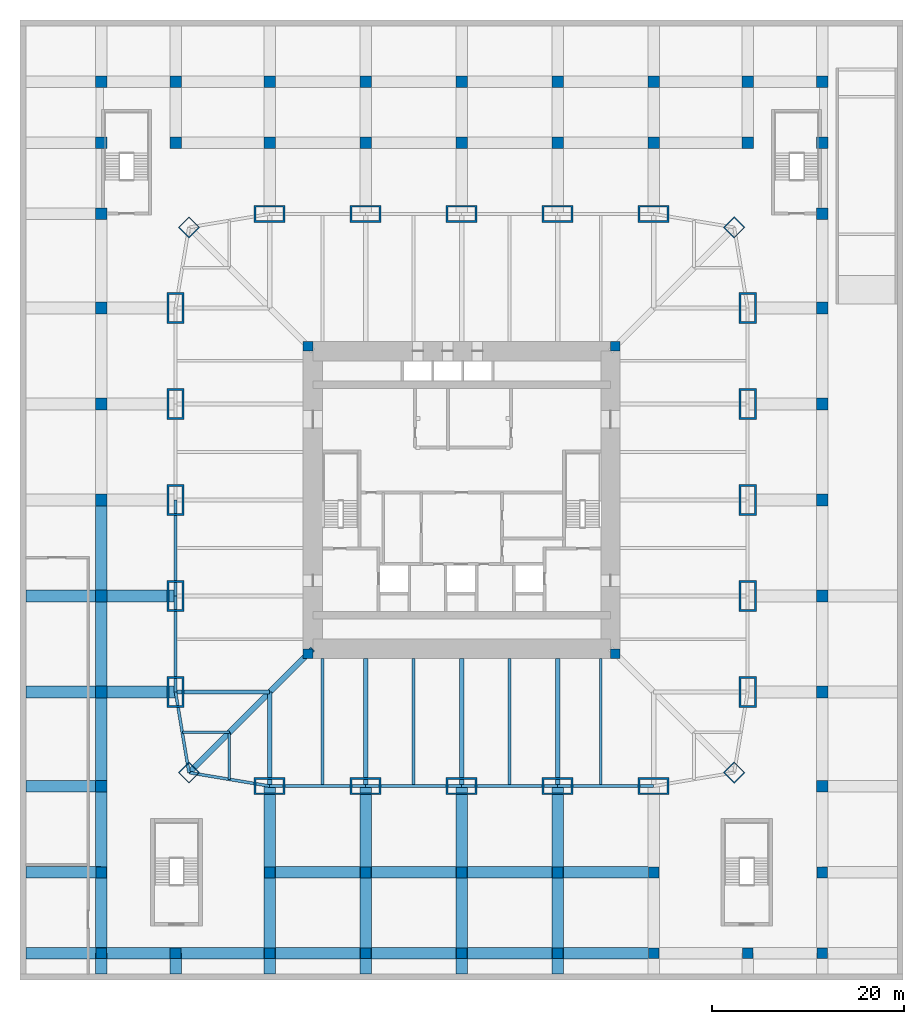
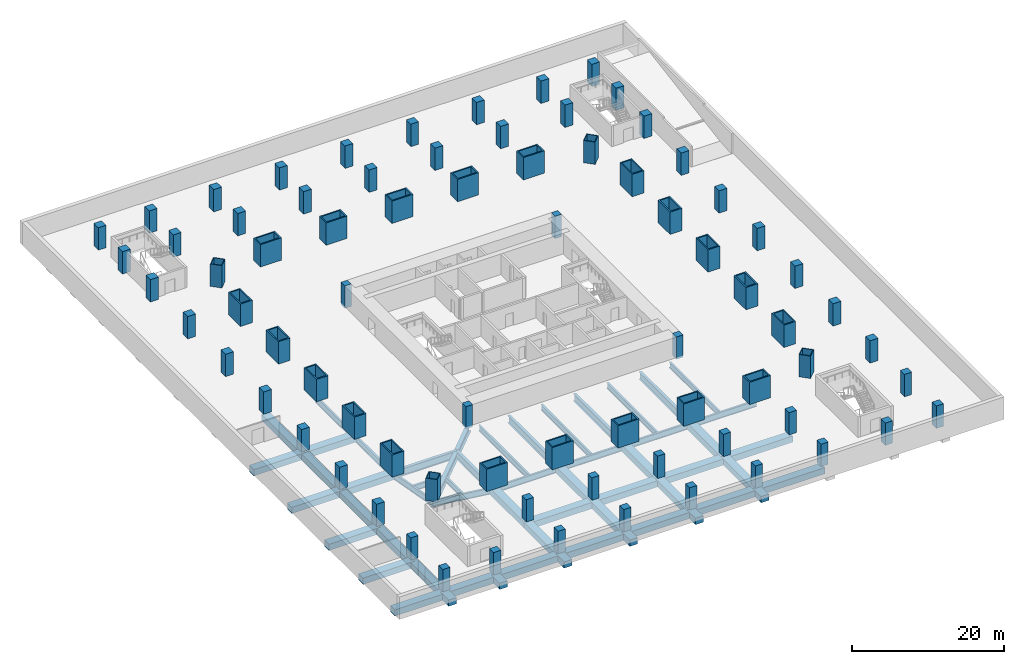
# One storey, part 1 of 11: 76 columns, 56 beams.
"""IFC4 building model written with IfcOpenShell, lengths in metres."""

import ifcopenshell
import ifcopenshell.guid

model = None  # the IFC model being written
_history = None  # IfcOwnerHistory: only IFC2X3 demands one
_inside = {}  # id of a spatial element -> (the spatial element, [elements in it])
_under = {}  # id of a project, library or spatial element -> (it, [spatial elements below it])
_declared = {}  # id of a project -> (the project, [libraries it declares])
_typed = {}  # id of a type object -> (the type object, [elements of that type])
_made_of = {}  # id of a material, layer set ... -> (it, [elements and type objects made of it])


def new_model(schema):
    """Start an empty IFC model of exactly this schema.

    Asked for "IFC4X3", IfcOpenShell would pick the latest addendum, in which some entities
    have other attributes; the version numbers below select the first issue.
    IFC2X3 requires an IfcOwnerHistory on every rooted entity: one is made here for all.
    """
    global model, _history
    if schema == "IFC4X3":
        model = ifcopenshell.file(schema_version=(4, 3, 0, 0))
    else:
        model = ifcopenshell.file(schema=schema)
    _inside.clear()
    _under.clear()
    _declared.clear()
    _typed.clear()
    _made_of.clear()
    _history = None
    if model.schema == "IFC2X3":
        org = make("IfcOrganization", Name="unknown")
        user = make(
            "IfcPersonAndOrganization",
            ThePerson=make("IfcPerson", FamilyName="unknown"),
            TheOrganization=org,
        )
        app = make(
            "IfcApplication",
            ApplicationDeveloper=org,
            Version="unknown",
            ApplicationFullName="unknown",
            ApplicationIdentifier="unknown",
        )
        _history = make(
            "IfcOwnerHistory",
            OwningUser=user,
            OwningApplication=app,
            ChangeAction="ADDED",
            CreationDate=0,
        )
    return model


def make(cls, **values):
    """One entity of the class cls with the attributes given. An attribute that is None is left unset."""
    return model.create_entity(
        cls, **{name: value for name, value in values.items() if value is not None}
    )


def rooted(cls, **values):
    """An entity with a GlobalId (a new one), such as an element, a storey or a relation."""
    return make(cls, GlobalId=ifcopenshell.guid.new(), OwnerHistory=_history, **values)


def si_unit(unit_type, name, prefix=None):
    """IfcSIUnit, for example si_unit("LENGTHUNIT", "METRE", prefix="MILLI")."""
    return make("IfcSIUnit", UnitType=unit_type, Prefix=prefix, Name=name)


def assignment(units):
    """IfcUnitAssignment: the units of a project."""
    return None if units is None else make("IfcUnitAssignment", Units=units)


def point(xyz):
    """IfcCartesianPoint."""
    return None if xyz is None else make("IfcCartesianPoint", Coordinates=xyz)


def direction(xyz):
    """IfcDirection."""
    return None if xyz is None else make("IfcDirection", DirectionRatios=xyz)


def frame(location, z_axis=None, x_axis=None):
    """IfcAxis2Placement3D, a coordinate frame: its origin and axes. An axis left out is left unset."""
    return make(
        "IfcAxis2Placement3D",
        Location=point(location),
        Axis=direction(z_axis),
        RefDirection=direction(x_axis),
    )


def frame_2d(location, x_axis=None):
    """IfcAxis2Placement2D, a coordinate frame in the plane: its origin and x axis."""
    return make(
        "IfcAxis2Placement2D", Location=point(location), RefDirection=direction(x_axis)
    )


def origin():
    """The frame at (0, 0, 0) with its axes left unset."""
    return frame((0.0, 0.0, 0.0))


def origin_2d():
    """The frame at (0, 0) in the plane with its x axis left unset."""
    return frame_2d((0.0, 0.0))


def place(relative_to, where):
    """IfcLocalPlacement: puts the frame where relative to a parent placement (None: the world)."""
    return make(
        "IfcLocalPlacement", PlacementRelTo=relative_to, RelativePlacement=where
    )


def context(
    kind, dimensions, precision=None, world=None, true_north=None, identifier=None
):
    """IfcGeometricRepresentationContext, for example the 3D "Model" context."""
    return make(
        "IfcGeometricRepresentationContext",
        ContextIdentifier=identifier,
        ContextType=kind,
        CoordinateSpaceDimension=dimensions,
        Precision=precision,
        WorldCoordinateSystem=world,
        TrueNorth=true_north,
    )


def subcontext(parent, identifier, kind, view, scale=None):
    """IfcGeometricRepresentationSubContext, for example "Body" below "Model"."""
    return make(
        "IfcGeometricRepresentationSubContext",
        ContextIdentifier=identifier,
        ContextType=kind,
        ParentContext=parent,
        TargetScale=scale,
        TargetView=view,
    )


def project(units=None, contexts=None):
    """IfcProject with its units and contexts."""
    return rooted(
        "IfcProject",
        Name="project",
        RepresentationContexts=contexts,
        UnitsInContext=assignment(units),
    )


def spatial(cls, under=None, at=None, **own):
    """A site, building, storey or space (cls), placed at a placement, below another one or the project."""
    s = rooted(cls, ObjectPlacement=at, **own)
    if under is not None:
        _under.setdefault(under.id(), (under, []))[1].append(s)
    return s


def profile(cls, at=None, kind="AREA", **sizes):
    """A parametric profile (cls). Its sizes go by their IFC names, for example OverallWidth=200.0."""
    return make(cls, ProfileType=kind, Position=at, **sizes)


def rectangle(**sizes):
    """IfcRectangleProfileDef."""
    return profile("IfcRectangleProfileDef", **sizes)


def hollow_rectangle(**sizes):
    """IfcRectangleHollowProfileDef."""
    return profile("IfcRectangleHollowProfileDef", **sizes)


def i_section(**sizes):
    """IfcIShapeProfileDef."""
    return profile("IfcIShapeProfileDef", **sizes)


def extrude(swept, where, along, depth):
    """IfcExtrudedAreaSolid: the profile swept, set in the frame where, extruded along a direction by depth."""
    return make(
        "IfcExtrudedAreaSolid",
        SweptArea=swept,
        Position=where,
        ExtrudedDirection=direction(along),
        Depth=depth,
    )


def shape(context_of_items, identifier, shape_type, items):
    """IfcShapeRepresentation: the items that make up one representation, for example the "Body"."""
    return make(
        "IfcShapeRepresentation",
        ContextOfItems=context_of_items,
        RepresentationIdentifier=identifier,
        RepresentationType=shape_type,
        Items=items,
    )


def material(Name=None, Category=None):
    """IfcMaterial."""
    return make("IfcMaterial", Name=Name, Category=Category)


def material_profile(
    of_material, cross_section, Name=None, Category=None, Priority=None
):
    """IfcMaterialProfile: a cross section and its material."""
    return make(
        "IfcMaterialProfile",
        Name=Name,
        Material=of_material,
        Profile=cross_section,
        Priority=Priority,
        Category=Category,
    )


def profile_set(profiles, Name=None, composite=None):
    """IfcMaterialProfileSet."""
    return make(
        "IfcMaterialProfileSet",
        Name=Name,
        MaterialProfiles=profiles,
        CompositeProfile=composite,
    )


def made_of(thing, what):
    """Note that an element or type object is made of a material, layer set ...; save() writes the relation."""
    if what is not None:
        _made_of.setdefault(what.id(), (what, []))[1].append(thing)
    return thing


def type_object(cls, material=None, **own):
    """A type object (cls), such as IfcWallType, which elements share."""
    return made_of(rooted(cls, **own), material)


def element(
    cls,
    number,
    at=None,
    inside=None,
    cuts=None,
    type_object=None,
    material=None,
    context=None,
    identifier="Body",
    shape_type=None,
    held_by="IfcProductDefinitionShape",
    body=None,
    shapes=None,
    **own,
):
    """One element of the class cls, such as IfcWall. Its Tag is "e" and its number.

    at: its placement. inside: the storey or other place that contains it. cuts: it is an
    opening in that element (IfcRelVoidsElement). A single representation is given by context,
    identifier, shape_type and body (its items); several are given by shapes. held_by: the class
    of the entity that holds the representations. save() writes the other relations.
    """
    e = rooted(cls, Tag="e%d" % number, ObjectPlacement=at, **own)
    if body is not None:
        shapes = [shape(context, identifier, shape_type, body)]
    if shapes is not None:
        e.Representation = make(held_by, Representations=shapes)
    if inside is not None:
        _inside.setdefault(inside.id(), (inside, []))[1].append(e)
    if cuts is not None:
        rooted(
            "IfcRelVoidsElement", RelatingBuildingElement=cuts, RelatedOpeningElement=e
        )
    if type_object is not None:
        _typed.setdefault(type_object.id(), (type_object, []))[1].append(e)
    return made_of(e, material)


def aggregate(whole, parts):
    """IfcRelAggregates: a whole, such as a stair, and the parts it consists of."""
    return rooted("IfcRelAggregates", RelatingObject=whole, RelatedObjects=parts)


def save(model, path):
    """Write the relations noted so far, then the file.

    IfcRelAggregates (storeys below a building ...), IfcRelContainedInSpatialStructure (elements
    in a storey), IfcRelDefinesByType, IfcRelAssociatesMaterial and IfcRelDeclares: one each for
    every whole, place, type object, material and project.
    """
    for whole, parts in _under.values():
        aggregate(whole, parts)
    for where, things in _inside.values():
        rooted(
            "IfcRelContainedInSpatialStructure",
            RelatedElements=things,
            RelatingStructure=where,
        )
    for kind, things in _typed.values():
        rooted("IfcRelDefinesByType", RelatedObjects=things, RelatingType=kind)
    for what, things in _made_of.values():
        rooted("IfcRelAssociatesMaterial", RelatedObjects=things, RelatingMaterial=what)
    for by, libraries in _declared.values():
        rooted("IfcRelDeclares", RelatingContext=by, RelatedDefinitions=libraries)
    model.write(path)


model = new_model("IFC4")

# Units and contexts
model_context = context("Model", 3, precision=1e-05, world=origin(), true_north=direction((0.0, 1.0)))
body_context = subcontext(model_context, "Body", "Model", "MODEL_VIEW")
ifc_project = project(units=[si_unit("LENGTHUNIT", "METRE"), si_unit("AREAUNIT", "SQUARE_METRE"), si_unit("VOLUMEUNIT", "CUBIC_METRE"), si_unit("PLANEANGLEUNIT", "RADIAN"), si_unit("MASSUNIT", "GRAM", prefix="KILO")], contexts=[model_context])

# Site, building, storey
site_placement = place(None, origin())
site = spatial("IfcSite", under=ifc_project, at=site_placement, CompositionType="ELEMENT")
building_placement = place(site_placement, origin())
building = spatial("IfcBuilding", under=site, at=building_placement, Name="Khuree Lantern Residences", CompositionType="ELEMENT")
storey_placement = place(building_placement, frame((0.0, 0.0, -9.0)))
storey = spatial("IfcBuildingStorey", under=building, at=storey_placement, Name="B2", CompositionType="ELEMENT", Elevation=-9.0)

# Columns
ifc_material_1 = material(Name="Steel S355 CFT welded box", Category="steel")
ifc_material_profile_1 = material_profile(ifc_material_1, hollow_rectangle(XDim=1.60009765625, YDim=1.60009765625, WallThickness=0.10009765625, at=origin_2d()), Name="WELDED BOX 1600X1600X100")
ifc_profile_set_1 = profile_set([ifc_material_profile_1], Name="Steel S355 CFT welded box")
column_type_1 = type_object("IfcColumnType", Name="CC1600 PERIMETER CORNER MEGA COLUMN WELDED BOX 1600X1600X100", PredefinedType="COLUMN", material=ifc_profile_set_1)
for number, where, z_axis, x_axis, name in (
    (1, (28.39404296875, 28.39404296875, 0.0), (0.0, 0.0, 1.0), (0.707106781187, -0.707106781187, 0.0), "Perimeter column NE"),
    (2, (28.39404296875, -28.39404296875, 0.0), (0.0, 0.0, 1.0), (0.707106781187, 0.707106781187, 0.0), "Perimeter column SE"),
    (3, (-28.39404296875, -28.39404296875, 0.0), (0.0, 0.0, 1.0), (0.707106781187, -0.707106781187, 0.0), "Perimeter column SW"),
    (4, (-28.39404296875, 28.39404296875, 0.0), (0.0, 0.0, 1.0), (0.707106781187, 0.707106781187, 0.0), "Perimeter column NW"),
):
    element("IfcColumn", number, at=place(storey_placement, frame(where, z_axis=z_axis, x_axis=x_axis)), inside=storey, type_object=column_type_1, Name=name, PredefinedType="COLUMN", context=body_context, shape_type="SweptSolid", body=[
        extrude(hollow_rectangle(XDim=1.60009765625, YDim=1.60009765625, WallThickness=0.10009765625, at=origin_2d()), origin(), (0.0, 0.0, 1.0), 3.60009765625),
    ])
ifc_material_2 = material(Name="Concrete C70/85", Category="concrete")
ifc_material_profile_2 = material_profile(ifc_material_2, rectangle(XDim=1.0, YDim=1.0, at=origin_2d()), Name="RC 1000X1000")
ifc_profile_set_2 = profile_set([ifc_material_profile_2], Name="Concrete C70/85")
column_type_2 = type_object("IfcColumnType", Name="CP1000-C70 CORE CORNER PIER C70 RC 1000X1000", PredefinedType="COLUMN", material=ifc_profile_set_2)
for number, where, z_axis, x_axis, name in (
    (5, (16.0, 16.0, -0.300048828125), (0.0, 0.0, 1.0), (1.0, 0.0, 0.0), "Core corner pier NE"),
    (6, (-16.0, 16.0, -0.300048828125), (0.0, 0.0, 1.0), (1.0, 0.0, 0.0), "Core corner pier NW"),
    (7, (-16.0, -16.0, -0.300048828125), (0.0, 0.0, 1.0), (1.0, 0.0, 0.0), "Core corner pier SW"),
    (8, (16.0, -16.0, -0.300048828125), (0.0, 0.0, 1.0), (1.0, 0.0, 0.0), "Core corner pier SE"),
):
    element("IfcColumn", number, at=place(storey_placement, frame(where, z_axis=z_axis, x_axis=x_axis)), inside=storey, type_object=column_type_2, Name=name, PredefinedType="COLUMN", context=body_context, shape_type="SweptSolid", body=[
        extrude(rectangle(XDim=1.0, YDim=1.0, at=origin_2d()), origin(), (0.0, 0.0, 1.0), 3.60009765625),
    ])
ifc_material_profile_3 = material_profile(ifc_material_2, rectangle(XDim=1.199951171875, YDim=1.199951171875, at=origin_2d()), Name="RC 1200X1200")
ifc_profile_set_3 = profile_set([ifc_material_profile_3], Name="Concrete C70/85")
column_type_3 = type_object("IfcColumnType", Name="GC1 PODIUM COLUMN RC 1200X1200", PredefinedType="COLUMN", material=ifc_profile_set_3)
for number, where, z_axis, x_axis, name in (
    (9, (-37.550048828125, -29.800048828125, 0.0), (0.0, 0.0, 1.0), (1.0, 0.0, 0.0), "Column GC-17"),
    (10, (37.550048828125, -29.800048828125, 0.0), (0.0, 0.0, 1.0), (1.0, 0.0, 0.0), "Column GC-18"),
    (11, (-37.550048828125, -20.0, 0.0), (0.0, 0.0, 1.0), (1.0, 0.0, 0.0), "Column GC-19"),
    (12, (37.550048828125, -20.0, 0.0), (0.0, 0.0, 1.0), (1.0, 0.0, 0.0), "Column GC-20"),
    (13, (-37.550048828125, -10.0, 0.0), (0.0, 0.0, 1.0), (1.0, 0.0, 0.0), "Column GC-21"),
    (14, (37.550048828125, -10.0, 0.0), (0.0, 0.0, 1.0), (1.0, 0.0, 0.0), "Column GC-22"),
    (15, (-37.550048828125, 0.0, 0.0), (0.0, 0.0, 1.0), (1.0, 0.0, 0.0), "Column GC-23"),
    (16, (37.550048828125, 0.0, 0.0), (0.0, 0.0, 1.0), (1.0, 0.0, 0.0), "Column GC-24"),
    (17, (-37.550048828125, 10.0, 0.0), (0.0, 0.0, 1.0), (1.0, 0.0, 0.0), "Column GC-25"),
    (18, (37.550048828125, 10.0, 0.0), (0.0, 0.0, 1.0), (1.0, 0.0, 0.0), "Column GC-26"),
    (19, (-37.550048828125, 20.0, 0.0), (0.0, 0.0, 1.0), (1.0, 0.0, 0.0), "Column GC-27"),
    (20, (37.550048828125, 20.0, 0.0), (0.0, 0.0, 1.0), (1.0, 0.0, 0.0), "Column GC-28"),
    (21, (-37.550048828125, 29.800048828125, 0.0), (0.0, 0.0, 1.0), (1.0, 0.0, 0.0), "Column GC-29"),
    (22, (37.550048828125, 29.800048828125, 0.0), (0.0, 0.0, 1.0), (1.0, 0.0, 0.0), "Column GC-30"),
    (23, (-37.550048828125, 37.199951171875, 0.0), (0.0, 0.0, 1.0), (1.0, 0.0, 0.0), "Column GC-31"),
    (24, (-29.800048828125, 37.199951171875, 0.0), (0.0, 0.0, 1.0), (1.0, 0.0, 0.0), "Column GC-32"),
    (25, (-20.0, 37.199951171875, 0.0), (0.0, 0.0, 1.0), (1.0, 0.0, 0.0), "Column GC-33"),
    (26, (-10.0, 37.199951171875, 0.0), (0.0, 0.0, 1.0), (1.0, 0.0, 0.0), "Column GC-34"),
    (27, (0.0, 37.199951171875, 0.0), (0.0, 0.0, 1.0), (1.0, 0.0, 0.0), "Column GC-35"),
    (28, (10.0, 37.199951171875, 0.0), (0.0, 0.0, 1.0), (1.0, 0.0, 0.0), "Column GC-36"),
    (29, (20.0, 37.199951171875, 0.0), (0.0, 0.0, 1.0), (1.0, 0.0, 0.0), "Column GC-37"),
    (30, (29.800048828125, 37.199951171875, 0.0), (0.0, 0.0, 1.0), (1.0, 0.0, 0.0), "Column GC-38"),
    (31, (37.550048828125, 37.199951171875, 0.0), (0.0, 0.0, 1.0), (1.0, 0.0, 0.0), "Column GC-39"),
    (32, (-37.550048828125, 43.550048828125, 0.0), (0.0, 0.0, 1.0), (1.0, 0.0, 0.0), "Column GC-40"),
    (33, (-29.800048828125, 43.550048828125, 0.0), (0.0, 0.0, 1.0), (1.0, 0.0, 0.0), "Column GC-41"),
    (34, (-20.0, 43.550048828125, 0.0), (0.0, 0.0, 1.0), (1.0, 0.0, 0.0), "Column GC-42"),
    (35, (-10.0, 43.550048828125, 0.0), (0.0, 0.0, 1.0), (1.0, 0.0, 0.0), "Column GC-43"),
    (36, (0.0, 43.550048828125, 0.0), (0.0, 0.0, 1.0), (1.0, 0.0, 0.0), "Column GC-44"),
    (37, (10.0, 43.550048828125, 0.0), (0.0, 0.0, 1.0), (1.0, 0.0, 0.0), "Column GC-45"),
    (38, (20.0, 43.550048828125, 0.0), (0.0, 0.0, 1.0), (1.0, 0.0, 0.0), "Column GC-46"),
    (39, (29.800048828125, 43.550048828125, 0.0), (0.0, 0.0, 1.0), (1.0, 0.0, 0.0), "Column GC-47"),
    (40, (37.550048828125, 43.550048828125, 0.0), (0.0, 0.0, 1.0), (1.0, 0.0, 0.0), "Column GC-48"),
):
    element("IfcColumn", number, at=place(storey_placement, frame(where, z_axis=z_axis, x_axis=x_axis)), inside=storey, type_object=column_type_3, Name=name, PredefinedType="COLUMN", context=body_context, shape_type="SweptSolid", body=[
        extrude(rectangle(XDim=1.199951171875, YDim=1.199951171875, at=origin_2d()), origin(), (0.0, 0.0, 1.0), 3.60009765625),
    ])
ifc_material_profile_4 = material_profile(ifc_material_2, rectangle(XDim=1.10009765625, YDim=1.10009765625, at=origin_2d()), Name="RC 1100X1100")
ifc_profile_set_4 = profile_set([ifc_material_profile_4], Name="Concrete C70/85")
column_type_4 = type_object("IfcColumnType", Name="GC2 BASEMENT COLUMN RC 1100X1100", PredefinedType="COLUMN", material=ifc_profile_set_4)
for number, where, z_axis, x_axis, name in (
    (41, (-37.550048828125, -47.199951171875, 0.0), (0.0, 0.0, 1.0), (1.0, 0.0, 0.0), "Column GC-1"),
    (42, (-29.800048828125, -47.199951171875, 0.0), (0.0, 0.0, 1.0), (1.0, 0.0, 0.0), "Column GC-2"),
    (43, (-20.0, -47.199951171875, 0.0), (0.0, 0.0, 1.0), (1.0, 0.0, 0.0), "Column GC-3"),
    (44, (-10.0, -47.199951171875, 0.0), (0.0, 0.0, 1.0), (1.0, 0.0, 0.0), "Column GC-4"),
    (45, (0.0, -47.199951171875, 0.0), (0.0, 0.0, 1.0), (1.0, 0.0, 0.0), "Column GC-5"),
    (46, (10.0, -47.199951171875, 0.0), (0.0, 0.0, 1.0), (1.0, 0.0, 0.0), "Column GC-6"),
    (47, (20.0, -47.199951171875, 0.0), (0.0, 0.0, 1.0), (1.0, 0.0, 0.0), "Column GC-7"),
    (48, (29.800048828125, -47.199951171875, 0.0), (0.0, 0.0, 1.0), (1.0, 0.0, 0.0), "Column GC-8"),
    (49, (37.550048828125, -47.199951171875, 0.0), (0.0, 0.0, 1.0), (1.0, 0.0, 0.0), "Column GC-9"),
    (50, (-37.550048828125, -38.800048828125, 0.0), (0.0, 0.0, 1.0), (1.0, 0.0, 0.0), "Column GC-10"),
    (51, (-20.0, -38.800048828125, 0.0), (0.0, 0.0, 1.0), (1.0, 0.0, 0.0), "Column GC-11"),
    (52, (-10.0, -38.800048828125, 0.0), (0.0, 0.0, 1.0), (1.0, 0.0, 0.0), "Column GC-12"),
    (53, (0.0, -38.800048828125, 0.0), (0.0, 0.0, 1.0), (1.0, 0.0, 0.0), "Column GC-13"),
    (54, (10.0, -38.800048828125, 0.0), (0.0, 0.0, 1.0), (1.0, 0.0, 0.0), "Column GC-14"),
    (55, (20.0, -38.800048828125, 0.0), (0.0, 0.0, 1.0), (1.0, 0.0, 0.0), "Column GC-15"),
    (56, (37.550048828125, -38.800048828125, 0.0), (0.0, 0.0, 1.0), (1.0, 0.0, 0.0), "Column GC-16"),
):
    element("IfcColumn", number, at=place(storey_placement, frame(where, z_axis=z_axis, x_axis=x_axis)), inside=storey, type_object=column_type_4, Name=name, PredefinedType="COLUMN", context=body_context, shape_type="SweptSolid", body=[
        extrude(rectangle(XDim=1.10009765625, YDim=1.10009765625, at=origin_2d()), origin(), (0.0, 0.0, 1.0), 3.60009765625),
    ])
ifc_material_profile_5 = material_profile(ifc_material_1, hollow_rectangle(XDim=3.199951171875, YDim=1.800048828125, WallThickness=0.199951171875, at=origin_2d()), Name="WELDED BOX 3200X1800X200")
ifc_profile_set_5 = profile_set([ifc_material_profile_5], Name="Steel S355 CFT welded box")
column_type_5 = type_object("IfcColumnType", Name="SC1 PERIMETER MEGA COLUMN WELDED BOX 3200X1800X200", PredefinedType="COLUMN", material=ifc_profile_set_5)
for number, where, z_axis, x_axis, name in (
    (57, (-20.0, 29.800048828125, 0.0), (0.0, 0.0, 1.0), (1.0, 0.0, 0.0), "Perimeter column N1"),
    (58, (-10.0, 29.800048828125, 0.0), (0.0, 0.0, 1.0), (1.0, 0.0, 0.0), "Perimeter column N2"),
    (59, (0.0, 29.800048828125, 0.0), (0.0, 0.0, 1.0), (1.0, 0.0, 0.0), "Perimeter column N3"),
    (60, (10.0, 29.800048828125, 0.0), (0.0, 0.0, 1.0), (1.0, 0.0, 0.0), "Perimeter column N4"),
    (61, (20.0, 29.800048828125, 0.0), (0.0, 0.0, 1.0), (1.0, 0.0, 0.0), "Perimeter column N5"),
    (62, (29.800048828125, 20.0, 0.0), (0.0, 0.0, 1.0), (0.0, 1.0, 0.0), "Perimeter column E1"),
    (63, (29.800048828125, 10.0, 0.0), (0.0, 0.0, 1.0), (0.0, 1.0, 0.0), "Perimeter column E2"),
    (64, (29.800048828125, 0.0, 0.0), (0.0, 0.0, 1.0), (0.0, 1.0, 0.0), "Perimeter column E3"),
    (65, (29.800048828125, -10.0, 0.0), (0.0, 0.0, 1.0), (0.0, 1.0, 0.0), "Perimeter column E4"),
    (66, (29.800048828125, -20.0, 0.0), (0.0, 0.0, 1.0), (0.0, 1.0, 0.0), "Perimeter column E5"),
    (67, (20.0, -29.800048828125, 0.0), (0.0, 0.0, 1.0), (1.0, 0.0, 0.0), "Perimeter column S1"),
    (68, (10.0, -29.800048828125, 0.0), (0.0, 0.0, 1.0), (1.0, 0.0, 0.0), "Perimeter column S2"),
    (69, (0.0, -29.800048828125, 0.0), (0.0, 0.0, 1.0), (1.0, 0.0, 0.0), "Perimeter column S3"),
    (70, (-10.0, -29.800048828125, 0.0), (0.0, 0.0, 1.0), (1.0, 0.0, 0.0), "Perimeter column S4"),
    (71, (-20.0, -29.800048828125, 0.0), (0.0, 0.0, 1.0), (1.0, 0.0, 0.0), "Perimeter column S5"),
    (72, (-29.800048828125, -20.0, 0.0), (0.0, 0.0, 1.0), (0.0, 1.0, 0.0), "Perimeter column W1"),
    (73, (-29.800048828125, -10.0, 0.0), (0.0, 0.0, 1.0), (0.0, 1.0, 0.0), "Perimeter column W2"),
    (74, (-29.800048828125, 0.0, 0.0), (0.0, 0.0, 1.0), (0.0, 1.0, 0.0), "Perimeter column W3"),
    (75, (-29.800048828125, 10.0, 0.0), (0.0, 0.0, 1.0), (0.0, 1.0, 0.0), "Perimeter column W4"),
    (76, (-29.800048828125, 20.0, 0.0), (0.0, 0.0, 1.0), (0.0, 1.0, 0.0), "Perimeter column W5"),
):
    element("IfcColumn", number, at=place(storey_placement, frame(where, z_axis=z_axis, x_axis=x_axis)), inside=storey, type_object=column_type_5, Name=name, PredefinedType="COLUMN", context=body_context, shape_type="SweptSolid", body=[
        extrude(hollow_rectangle(XDim=3.199951171875, YDim=1.800048828125, WallThickness=0.199951171875, at=origin_2d()), origin(), (0.0, 0.0, 1.0), 3.60009765625),
    ])

# Beams
ifc_material_3 = material(Name="Steel S355", Category="steel")
ifc_material_profile_6 = material_profile(ifc_material_3, i_section(OverallWidth=0.300048828125, OverallDepth=0.89990234375, WebThickness=0.0185546875, FlangeThickness=0.034912109375, FilletRadius=0.030029296875, at=origin_2d()), Name="HE 900 B")
ifc_profile_set_6 = profile_set([ifc_material_profile_6], Name="Steel S355")
beam_type_1 = type_object("IfcBeamType", Name="B-B2 SECONDARY BEAM HE 900 B", PredefinedType="BEAM", material=ifc_profile_set_6)
for number, where, z_axis, x_axis, name in (
    (77, (14.5, -29.800048828125, -0.75), (0.0, 1.0, 0.0), (-1.0, 0.0, 0.0), "Secondary beam S2"),
    (78, (5.0, -29.800048828125, -0.75), (0.0, 1.0, 0.0), (-1.0, 0.0, 0.0), "Secondary beam S3"),
    (79, (-5.0, -29.800048828125, -0.75), (0.0, 1.0, 0.0), (-1.0, 0.0, 0.0), "Secondary beam S4"),
    (80, (-14.5, -29.800048828125, -0.75), (0.0, 1.0, 0.0), (-1.0, 0.0, 0.0), "Secondary beam S5"),
):
    element("IfcBeam", number, at=place(storey_placement, frame(where, z_axis=z_axis, x_axis=x_axis)), inside=storey, type_object=beam_type_1, Name=name, PredefinedType="BEAM", context=body_context, shape_type="SweptSolid", body=[
        extrude(i_section(OverallWidth=0.300048828125, OverallDepth=0.89990234375, WebThickness=0.0185546875, FlangeThickness=0.034912109375, FilletRadius=0.030029296875, at=origin_2d()), origin(), (0.0, 0.0, 1.0), 13.300048828125),
    ])
for number, where, z_axis, x_axis, name in (
    (81, (-24.197021484375, -29.09716796875, -0.75), (0.0, 1.0, 0.0), (-1.0, 0.0, 0.0), "Secondary beam S6"),
    (82, (-29.09716796875, -24.197021484375, -0.75), (1.0, 0.0, 0.0), (0.0, 1.0, 0.0), "Secondary beam W1"),
):
    element("IfcBeam", number, at=place(storey_placement, frame(where, z_axis=z_axis, x_axis=x_axis)), inside=storey, type_object=beam_type_1, Name=name, PredefinedType="BEAM", context=body_context, shape_type="SweptSolid", body=[
        extrude(i_section(OverallWidth=0.300048828125, OverallDepth=0.89990234375, WebThickness=0.0185546875, FlangeThickness=0.034912109375, FilletRadius=0.030029296875, at=origin_2d()), origin(), (0.0, 0.0, 1.0), 4.900146484375),
    ])
ifc_material_profile_7 = material_profile(ifc_material_3, i_section(OverallWidth=0.300048828125, OverallDepth=1.0, WebThickness=0.01904296875, FlangeThickness=0.035888671875, FilletRadius=0.030029296875, at=origin_2d()), Name="HE 1000 B")
ifc_profile_set_7 = profile_set([ifc_material_profile_7], Name="Steel S355")
beam_type_2 = type_object("IfcBeamType", Name="E-B2 SPANDREL BEAM HE 1000 B", PredefinedType="SPANDREL", material=ifc_profile_set_7)
for number, where, z_axis, x_axis, name in (
    (83, (20.0, -29.800048828125, -0.800048828125), (-1.0, 0.0, 0.0), (0.0, -1.0, 0.0), "Spandrel beam S2"),
    (84, (10.0, -29.800048828125, -0.800048828125), (-1.0, 0.0, 0.0), (0.0, -1.0, 0.0), "Spandrel beam S3"),
    (85, (0.0, -29.800048828125, -0.800048828125), (-1.0, 0.0, 0.0), (0.0, -1.0, 0.0), "Spandrel beam S4"),
    (86, (-10.0, -29.800048828125, -0.800048828125), (-1.0, 0.0, 0.0), (0.0, -1.0, 0.0), "Spandrel beam S5"),
):
    element("IfcBeam", number, at=place(storey_placement, frame(where, z_axis=z_axis, x_axis=x_axis)), inside=storey, type_object=beam_type_2, Name=name, PredefinedType="SPANDREL", context=body_context, shape_type="SweptSolid", body=[
        extrude(i_section(OverallWidth=0.300048828125, OverallDepth=1.0, WebThickness=0.01904296875, FlangeThickness=0.035888671875, FilletRadius=0.030029296875, at=origin_2d()), origin(), (0.0, 0.0, 1.0), 10.0),
    ])
for number, where, z_axis, x_axis, name in (
    (87, (-20.0, -29.800048828125, -0.800048828125), (-0.986260251158, 0.165199022349, 0.0), (-0.165199022349, -0.986260251158, 0.0), "Spandrel beam S6"),
    (88, (-28.39404296875, -28.39404296875, -0.800048828125), (-0.165199022349, 0.986260251158, 0.0), (-0.986260251158, -0.165199022349, 0.0), "Spandrel beam W1"),
):
    element("IfcBeam", number, at=place(storey_placement, frame(where, z_axis=z_axis, x_axis=x_axis)), inside=storey, type_object=beam_type_2, Name=name, PredefinedType="SPANDREL", context=body_context, shape_type="SweptSolid", body=[
        extrude(i_section(OverallWidth=0.300048828125, OverallDepth=1.0, WebThickness=0.01904296875, FlangeThickness=0.035888671875, FilletRadius=0.030029296875, at=origin_2d()), origin(), (0.0, 0.0, 1.0), 8.510986328125),
    ])
for number, where, z_axis, x_axis, name in (
    (89, (-29.800048828125, -20.0, -0.800048828125), (0.0, 1.0, 0.0), (-1.0, 0.0, 0.0), "Spandrel beam W2"),
    (90, (-29.800048828125, -10.0, -0.800048828125), (0.0, 1.0, 0.0), (-1.0, 0.0, 0.0), "Spandrel beam W3"),
):
    element("IfcBeam", number, at=place(storey_placement, frame(where, z_axis=z_axis, x_axis=x_axis)), inside=storey, type_object=beam_type_2, Name=name, PredefinedType="SPANDREL", context=body_context, shape_type="SweptSolid", body=[
        extrude(i_section(OverallWidth=0.300048828125, OverallDepth=1.0, WebThickness=0.01904296875, FlangeThickness=0.035888671875, FilletRadius=0.030029296875, at=origin_2d()), origin(), (0.0, 0.0, 1.0), 10.0),
    ])
ifc_material_profile_8 = material_profile(ifc_material_3, i_section(OverallWidth=0.449951171875, OverallDepth=1.199951171875, WebThickness=0.02490234375, FlangeThickness=0.044921875, at=origin_2d()), Name="WELDED I 1200X450X25X45")
ifc_profile_set_8 = profile_set([ifc_material_profile_8], Name="Steel S355")
beam_type_3 = type_object("IfcBeamType", Name="G-B2 GIRDER WELDED I 1200X450X25X45", PredefinedType="BEAM", material=ifc_profile_set_8)
for number, where, z_axis, x_axis, name in (
    (91, (10.0, -29.800048828125, -0.89990234375), (0.0, 1.0, 0.0), (-1.0, 0.0, 0.0), "Girder S2"),
    (92, (0.0, -29.800048828125, -0.89990234375), (0.0, 1.0, 0.0), (-1.0, 0.0, 0.0), "Girder S3"),
    (93, (-10.0, -29.800048828125, -0.89990234375), (0.0, 1.0, 0.0), (-1.0, 0.0, 0.0), "Girder S4"),
):
    element("IfcBeam", number, at=place(storey_placement, frame(where, z_axis=z_axis, x_axis=x_axis)), inside=storey, type_object=beam_type_3, Name=name, PredefinedType="BEAM", context=body_context, shape_type="SweptSolid", body=[
        extrude(i_section(OverallWidth=0.449951171875, OverallDepth=1.199951171875, WebThickness=0.02490234375, FlangeThickness=0.044921875, at=origin_2d()), origin(), (0.0, 0.0, 1.0), 13.300048828125),
    ])
for number, where, z_axis, x_axis, name in (
    (94, (-20.0, -29.800048828125, -0.89990234375), (0.0, 1.0, 0.0), (-1.0, 0.0, 0.0), "Girder S5"),
    (95, (-29.800048828125, -20.0, -0.89990234375), (1.0, 0.0, 0.0), (0.0, 1.0, 0.0), "Girder W1"),
):
    element("IfcBeam", number, at=place(storey_placement, frame(where, z_axis=z_axis, x_axis=x_axis)), inside=storey, type_object=beam_type_3, Name=name, PredefinedType="BEAM", context=body_context, shape_type="SweptSolid", body=[
        extrude(i_section(OverallWidth=0.449951171875, OverallDepth=1.199951171875, WebThickness=0.02490234375, FlangeThickness=0.044921875, at=origin_2d()), origin(), (0.0, 0.0, 1.0), 9.800048828125),
    ])
ifc_material_profile_9 = material_profile(ifc_material_3, i_section(OverallWidth=0.60009765625, OverallDepth=1.199951171875, WebThickness=0.030029296875, FlangeThickness=0.06005859375, at=origin_2d()), Name="WELDED I 1200X600X30X60")
ifc_profile_set_9 = profile_set([ifc_material_profile_9], Name="Steel S355")
beam_type_4 = type_object("IfcBeamType", Name="GD-B2 CORNER GIRDER WELDED I 1200X600X30X60", PredefinedType="BEAM", material=ifc_profile_set_9)
beam_1_placement = place(storey_placement, frame((-28.39404296875, -28.39404296875, -0.89990234375), z_axis=(0.707106781187, 0.707106781187, 0.0), x_axis=(-0.707106781187, 0.707106781187, 0.0)))
element("IfcBeam", 96, at=beam_1_placement, inside=storey, type_object=beam_type_4, Name="Corner girder SW", PredefinedType="BEAM", context=body_context, shape_type="SweptSolid", body=[
    extrude(i_section(OverallWidth=0.60009765625, OverallDepth=1.199951171875, WebThickness=0.030029296875, FlangeThickness=0.06005859375, at=origin_2d()), origin(), (0.0, 0.0, 1.0), 18.23486328125),
])
ifc_material_4 = material(Name="Concrete C40/50", Category="concrete")
ifc_material_profile_10 = material_profile(ifc_material_4, rectangle(XDim=1.199951171875, YDim=1.0, at=origin_2d()), Name="RC 1200X1000")
ifc_profile_set_10 = profile_set([ifc_material_profile_10], Name="Concrete C40/50")
beam_type_5 = type_object("IfcBeamType", Name="RB1 BASEMENT BEAM RC 1200X1000", PredefinedType="BEAM", material=ifc_profile_set_10)
beam_2_placement = place(storey_placement, frame((-45.39990234375, -47.199951171875, -0.800048828125), z_axis=(1.0, 0.0, 0.0), x_axis=(0.0, 1.0, 0.0)))
element("IfcBeam", 97, at=beam_2_placement, inside=storey, type_object=beam_type_5, Name="Basement beam RB-1", PredefinedType="BEAM", context=body_context, shape_type="SweptSolid", body=[
    extrude(rectangle(XDim=1.199951171875, YDim=1.0, at=origin_2d()), origin(), (0.0, 0.0, 1.0), 7.849853515625),
])
beam_3_placement = place(storey_placement, frame((-37.550048828125, -47.199951171875, -0.800048828125), z_axis=(1.0, 0.0, 0.0), x_axis=(0.0, 1.0, 0.0)))
element("IfcBeam", 98, at=beam_3_placement, inside=storey, type_object=beam_type_5, Name="Basement beam RB-2", PredefinedType="BEAM", context=body_context, shape_type="SweptSolid", body=[
    extrude(rectangle(XDim=1.199951171875, YDim=1.0, at=origin_2d()), origin(), (0.0, 0.0, 1.0), 7.75),
])
beam_4_placement = place(storey_placement, frame((-29.800048828125, -47.199951171875, -0.800048828125), z_axis=(1.0, 0.0, 0.0), x_axis=(0.0, 1.0, 0.0)))
element("IfcBeam", 99, at=beam_4_placement, inside=storey, type_object=beam_type_5, Name="Basement beam RB-3", PredefinedType="BEAM", context=body_context, shape_type="SweptSolid", body=[
    extrude(rectangle(XDim=1.199951171875, YDim=1.0, at=origin_2d()), origin(), (0.0, 0.0, 1.0), 9.800048828125),
])
for number, where, z_axis, x_axis, name in (
    (100, (-20.0, -47.199951171875, -0.800048828125), (1.0, 0.0, 0.0), (0.0, 1.0, 0.0), "Basement beam RB-4"),
    (101, (-10.0, -47.199951171875, -0.800048828125), (1.0, 0.0, 0.0), (0.0, 1.0, 0.0), "Basement beam RB-5"),
    (102, (0.0, -47.199951171875, -0.800048828125), (1.0, 0.0, 0.0), (0.0, 1.0, 0.0), "Basement beam RB-6"),
    (103, (10.0, -47.199951171875, -0.800048828125), (1.0, 0.0, 0.0), (0.0, 1.0, 0.0), "Basement beam RB-7"),
):
    element("IfcBeam", number, at=place(storey_placement, frame(where, z_axis=z_axis, x_axis=x_axis)), inside=storey, type_object=beam_type_5, Name=name, PredefinedType="BEAM", context=body_context, shape_type="SweptSolid", body=[
        extrude(rectangle(XDim=1.199951171875, YDim=1.0, at=origin_2d()), origin(), (0.0, 0.0, 1.0), 10.0),
    ])
beam_5_placement = place(storey_placement, frame((-45.39990234375, -38.800048828125, -0.800048828125), z_axis=(1.0, 0.0, 0.0), x_axis=(0.0, 1.0, 0.0)))
element("IfcBeam", 104, at=beam_5_placement, inside=storey, type_object=beam_type_5, Name="Basement beam RB-11", PredefinedType="BEAM", context=body_context, shape_type="SweptSolid", body=[
    extrude(rectangle(XDim=1.199951171875, YDim=1.0, at=origin_2d()), origin(), (0.0, 0.0, 1.0), 7.849853515625),
])
for number, where, z_axis, x_axis, name in (
    (105, (-20.0, -38.800048828125, -0.800048828125), (1.0, 0.0, 0.0), (0.0, 1.0, 0.0), "Basement beam RB-12"),
    (106, (-10.0, -38.800048828125, -0.800048828125), (1.0, 0.0, 0.0), (0.0, 1.0, 0.0), "Basement beam RB-13"),
    (107, (0.0, -38.800048828125, -0.800048828125), (1.0, 0.0, 0.0), (0.0, 1.0, 0.0), "Basement beam RB-14"),
    (108, (10.0, -38.800048828125, -0.800048828125), (1.0, 0.0, 0.0), (0.0, 1.0, 0.0), "Basement beam RB-15"),
):
    element("IfcBeam", number, at=place(storey_placement, frame(where, z_axis=z_axis, x_axis=x_axis)), inside=storey, type_object=beam_type_5, Name=name, PredefinedType="BEAM", context=body_context, shape_type="SweptSolid", body=[
        extrude(rectangle(XDim=1.199951171875, YDim=1.0, at=origin_2d()), origin(), (0.0, 0.0, 1.0), 10.0),
    ])
for number, where, z_axis, x_axis, name in (
    (109, (-45.39990234375, -29.800048828125, -0.800048828125), (1.0, 0.0, 0.0), (0.0, 1.0, 0.0), "Basement beam RB-17"),
    (110, (-45.39990234375, -20.0, -0.800048828125), (1.0, 0.0, 0.0), (0.0, 1.0, 0.0), "Basement beam RB-19"),
):
    element("IfcBeam", number, at=place(storey_placement, frame(where, z_axis=z_axis, x_axis=x_axis)), inside=storey, type_object=beam_type_5, Name=name, PredefinedType="BEAM", context=body_context, shape_type="SweptSolid", body=[
        extrude(rectangle(XDim=1.199951171875, YDim=1.0, at=origin_2d()), origin(), (0.0, 0.0, 1.0), 7.849853515625),
    ])
beam_6_placement = place(storey_placement, frame((-37.550048828125, -20.0, -0.800048828125), z_axis=(1.0, 0.0, 0.0), x_axis=(0.0, 1.0, 0.0)))
element("IfcBeam", 111, at=beam_6_placement, inside=storey, type_object=beam_type_5, Name="Basement beam RB-20", PredefinedType="BEAM", context=body_context, shape_type="SweptSolid", body=[
    extrude(rectangle(XDim=1.199951171875, YDim=1.0, at=origin_2d()), origin(), (0.0, 0.0, 1.0), 7.75),
])
beam_7_placement = place(storey_placement, frame((-45.39990234375, -10.0, -0.800048828125), z_axis=(1.0, 0.0, 0.0), x_axis=(0.0, 1.0, 0.0)))
element("IfcBeam", 112, at=beam_7_placement, inside=storey, type_object=beam_type_5, Name="Basement beam RB-23", PredefinedType="BEAM", context=body_context, shape_type="SweptSolid", body=[
    extrude(rectangle(XDim=1.199951171875, YDim=1.0, at=origin_2d()), origin(), (0.0, 0.0, 1.0), 7.849853515625),
])
beam_8_placement = place(storey_placement, frame((-37.550048828125, -10.0, -0.800048828125), z_axis=(1.0, 0.0, 0.0), x_axis=(0.0, 1.0, 0.0)))
element("IfcBeam", 113, at=beam_8_placement, inside=storey, type_object=beam_type_5, Name="Basement beam RB-24", PredefinedType="BEAM", context=body_context, shape_type="SweptSolid", body=[
    extrude(rectangle(XDim=1.199951171875, YDim=1.0, at=origin_2d()), origin(), (0.0, 0.0, 1.0), 7.75),
])
beam_9_placement = place(storey_placement, frame((-37.550048828125, -49.39990234375, -0.800048828125), z_axis=(0.0, 1.0, 0.0), x_axis=(-1.0, 0.0, 0.0)))
element("IfcBeam", 114, at=beam_9_placement, inside=storey, type_object=beam_type_5, Name="Basement beam RB-53", PredefinedType="BEAM", context=body_context, shape_type="SweptSolid", body=[
    extrude(rectangle(XDim=1.199951171875, YDim=1.0, at=origin_2d()), origin(), (0.0, 0.0, 1.0), 2.199951171875),
])
beam_10_placement = place(storey_placement, frame((-37.550048828125, -47.199951171875, -0.800048828125), z_axis=(0.0, 1.0, 0.0), x_axis=(-1.0, 0.0, 0.0)))
element("IfcBeam", 115, at=beam_10_placement, inside=storey, type_object=beam_type_5, Name="Basement beam RB-54", PredefinedType="BEAM", context=body_context, shape_type="SweptSolid", body=[
    extrude(rectangle(XDim=1.199951171875, YDim=1.0, at=origin_2d()), origin(), (0.0, 0.0, 1.0), 8.39990234375),
])
beam_11_placement = place(storey_placement, frame((-37.550048828125, -38.800048828125, -0.800048828125), z_axis=(0.0, 1.0, 0.0), x_axis=(-1.0, 0.0, 0.0)))
element("IfcBeam", 116, at=beam_11_placement, inside=storey, type_object=beam_type_5, Name="Basement beam RB-55", PredefinedType="BEAM", context=body_context, shape_type="SweptSolid", body=[
    extrude(rectangle(XDim=1.199951171875, YDim=1.0, at=origin_2d()), origin(), (0.0, 0.0, 1.0), 9.0),
])
beam_12_placement = place(storey_placement, frame((-37.550048828125, -29.800048828125, -0.800048828125), z_axis=(0.0, 1.0, 0.0), x_axis=(-1.0, 0.0, 0.0)))
element("IfcBeam", 117, at=beam_12_placement, inside=storey, type_object=beam_type_5, Name="Basement beam RB-56", PredefinedType="BEAM", context=body_context, shape_type="SweptSolid", body=[
    extrude(rectangle(XDim=1.199951171875, YDim=1.0, at=origin_2d()), origin(), (0.0, 0.0, 1.0), 9.800048828125),
])
for number, where, z_axis, x_axis, name in (
    (118, (-37.550048828125, -20.0, -0.800048828125), (0.0, 1.0, 0.0), (-1.0, 0.0, 0.0), "Basement beam RB-57"),
    (119, (-37.550048828125, -10.0, -0.800048828125), (0.0, 1.0, 0.0), (-1.0, 0.0, 0.0), "Basement beam RB-58"),
):
    element("IfcBeam", number, at=place(storey_placement, frame(where, z_axis=z_axis, x_axis=x_axis)), inside=storey, type_object=beam_type_5, Name=name, PredefinedType="BEAM", context=body_context, shape_type="SweptSolid", body=[
        extrude(rectangle(XDim=1.199951171875, YDim=1.0, at=origin_2d()), origin(), (0.0, 0.0, 1.0), 10.0),
    ])
for number, where, z_axis, x_axis, name in (
    (120, (-29.800048828125, -49.39990234375, -0.800048828125), (0.0, 1.0, 0.0), (-1.0, 0.0, 0.0), "Basement beam RB-65"),
    (121, (-20.0, -49.39990234375, -0.800048828125), (0.0, 1.0, 0.0), (-1.0, 0.0, 0.0), "Basement beam RB-68"),
):
    element("IfcBeam", number, at=place(storey_placement, frame(where, z_axis=z_axis, x_axis=x_axis)), inside=storey, type_object=beam_type_5, Name=name, PredefinedType="BEAM", context=body_context, shape_type="SweptSolid", body=[
        extrude(rectangle(XDim=1.199951171875, YDim=1.0, at=origin_2d()), origin(), (0.0, 0.0, 1.0), 2.199951171875),
    ])
beam_13_placement = place(storey_placement, frame((-20.0, -47.199951171875, -0.800048828125), z_axis=(0.0, 1.0, 0.0), x_axis=(-1.0, 0.0, 0.0)))
element("IfcBeam", 122, at=beam_13_placement, inside=storey, type_object=beam_type_5, Name="Basement beam RB-69", PredefinedType="BEAM", context=body_context, shape_type="SweptSolid", body=[
    extrude(rectangle(XDim=1.199951171875, YDim=1.0, at=origin_2d()), origin(), (0.0, 0.0, 1.0), 8.39990234375),
])
beam_14_placement = place(storey_placement, frame((-20.0, -38.800048828125, -0.800048828125), z_axis=(0.0, 1.0, 0.0), x_axis=(-1.0, 0.0, 0.0)))
element("IfcBeam", 123, at=beam_14_placement, inside=storey, type_object=beam_type_5, Name="Basement beam RB-70", PredefinedType="BEAM", context=body_context, shape_type="SweptSolid", body=[
    extrude(rectangle(XDim=1.199951171875, YDim=1.0, at=origin_2d()), origin(), (0.0, 0.0, 1.0), 9.0),
])
beam_15_placement = place(storey_placement, frame((-10.0, -49.39990234375, -0.800048828125), z_axis=(0.0, 1.0, 0.0), x_axis=(-1.0, 0.0, 0.0)))
element("IfcBeam", 124, at=beam_15_placement, inside=storey, type_object=beam_type_5, Name="Basement beam RB-74", PredefinedType="BEAM", context=body_context, shape_type="SweptSolid", body=[
    extrude(rectangle(XDim=1.199951171875, YDim=1.0, at=origin_2d()), origin(), (0.0, 0.0, 1.0), 2.199951171875),
])
beam_16_placement = place(storey_placement, frame((-10.0, -47.199951171875, -0.800048828125), z_axis=(0.0, 1.0, 0.0), x_axis=(-1.0, 0.0, 0.0)))
element("IfcBeam", 125, at=beam_16_placement, inside=storey, type_object=beam_type_5, Name="Basement beam RB-75", PredefinedType="BEAM", context=body_context, shape_type="SweptSolid", body=[
    extrude(rectangle(XDim=1.199951171875, YDim=1.0, at=origin_2d()), origin(), (0.0, 0.0, 1.0), 8.39990234375),
])
beam_17_placement = place(storey_placement, frame((-10.0, -38.800048828125, -0.800048828125), z_axis=(0.0, 1.0, 0.0), x_axis=(-1.0, 0.0, 0.0)))
element("IfcBeam", 126, at=beam_17_placement, inside=storey, type_object=beam_type_5, Name="Basement beam RB-76", PredefinedType="BEAM", context=body_context, shape_type="SweptSolid", body=[
    extrude(rectangle(XDim=1.199951171875, YDim=1.0, at=origin_2d()), origin(), (0.0, 0.0, 1.0), 9.0),
])
beam_18_placement = place(storey_placement, frame((0.0, -49.39990234375, -0.800048828125), z_axis=(0.0, 1.0, 0.0), x_axis=(-1.0, 0.0, 0.0)))
element("IfcBeam", 127, at=beam_18_placement, inside=storey, type_object=beam_type_5, Name="Basement beam RB-80", PredefinedType="BEAM", context=body_context, shape_type="SweptSolid", body=[
    extrude(rectangle(XDim=1.199951171875, YDim=1.0, at=origin_2d()), origin(), (0.0, 0.0, 1.0), 2.199951171875),
])
beam_19_placement = place(storey_placement, frame((0.0, -47.199951171875, -0.800048828125), z_axis=(0.0, 1.0, 0.0), x_axis=(-1.0, 0.0, 0.0)))
element("IfcBeam", 128, at=beam_19_placement, inside=storey, type_object=beam_type_5, Name="Basement beam RB-81", PredefinedType="BEAM", context=body_context, shape_type="SweptSolid", body=[
    extrude(rectangle(XDim=1.199951171875, YDim=1.0, at=origin_2d()), origin(), (0.0, 0.0, 1.0), 8.39990234375),
])
beam_20_placement = place(storey_placement, frame((0.0, -38.800048828125, -0.800048828125), z_axis=(0.0, 1.0, 0.0), x_axis=(-1.0, 0.0, 0.0)))
element("IfcBeam", 129, at=beam_20_placement, inside=storey, type_object=beam_type_5, Name="Basement beam RB-82", PredefinedType="BEAM", context=body_context, shape_type="SweptSolid", body=[
    extrude(rectangle(XDim=1.199951171875, YDim=1.0, at=origin_2d()), origin(), (0.0, 0.0, 1.0), 9.0),
])
beam_21_placement = place(storey_placement, frame((10.0, -49.39990234375, -0.800048828125), z_axis=(0.0, 1.0, 0.0), x_axis=(-1.0, 0.0, 0.0)))
element("IfcBeam", 130, at=beam_21_placement, inside=storey, type_object=beam_type_5, Name="Basement beam RB-86", PredefinedType="BEAM", context=body_context, shape_type="SweptSolid", body=[
    extrude(rectangle(XDim=1.199951171875, YDim=1.0, at=origin_2d()), origin(), (0.0, 0.0, 1.0), 2.199951171875),
])
beam_22_placement = place(storey_placement, frame((10.0, -47.199951171875, -0.800048828125), z_axis=(0.0, 1.0, 0.0), x_axis=(-1.0, 0.0, 0.0)))
element("IfcBeam", 131, at=beam_22_placement, inside=storey, type_object=beam_type_5, Name="Basement beam RB-87", PredefinedType="BEAM", context=body_context, shape_type="SweptSolid", body=[
    extrude(rectangle(XDim=1.199951171875, YDim=1.0, at=origin_2d()), origin(), (0.0, 0.0, 1.0), 8.39990234375),
])
beam_23_placement = place(storey_placement, frame((10.0, -38.800048828125, -0.800048828125), z_axis=(0.0, 1.0, 0.0), x_axis=(-1.0, 0.0, 0.0)))
element("IfcBeam", 132, at=beam_23_placement, inside=storey, type_object=beam_type_5, Name="Basement beam RB-88", PredefinedType="BEAM", context=body_context, shape_type="SweptSolid", body=[
    extrude(rectangle(XDim=1.199951171875, YDim=1.0, at=origin_2d()), origin(), (0.0, 0.0, 1.0), 9.0),
])

save(model, "model.ifc")
